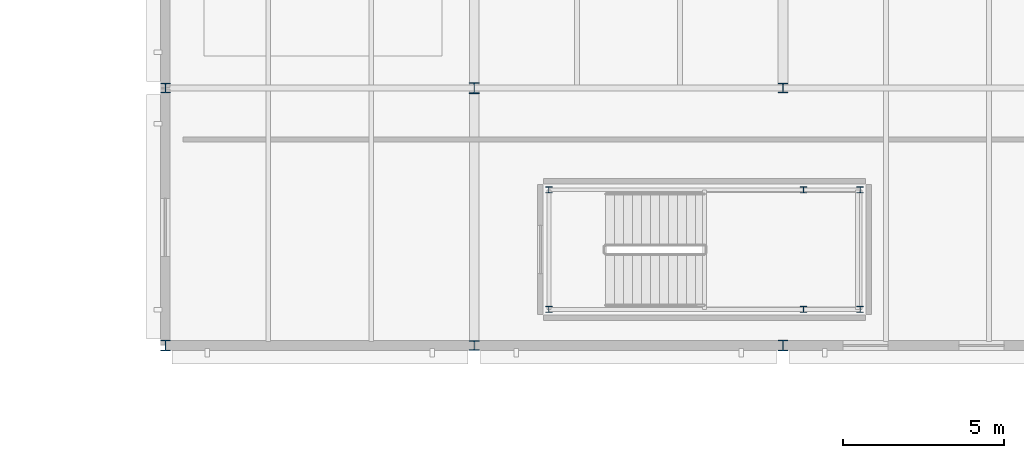
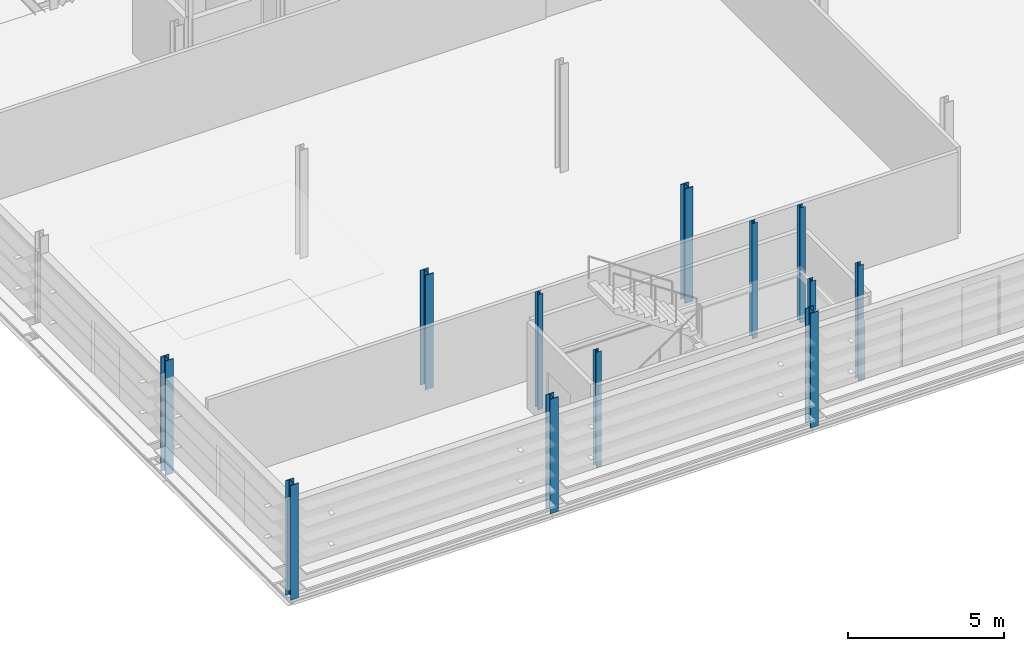
# One storey, part 1 of 73: 12 columns.
"""IFC4 building model written with IfcOpenShell, lengths in metres."""

from ifc_helpers import new_model, si_unit, direction, frame, origin, origin_2d, place, context, subcontext, project, spatial, i_section, extrude, material, material_profile, profile_set, type_object, element, save


model = new_model("IFC4")

# Units and contexts
model_context = context("Model", 3, precision=1e-05, world=origin(), true_north=direction((0.0, 1.0)))
body_context = subcontext(model_context, "Body", "Model", "MODEL_VIEW")
ifc_project = project(units=[si_unit("LENGTHUNIT", "METRE"), si_unit("AREAUNIT", "SQUARE_METRE"), si_unit("VOLUMEUNIT", "CUBIC_METRE"), si_unit("PLANEANGLEUNIT", "RADIAN"), si_unit("MASSUNIT", "GRAM", prefix="KILO")], contexts=[model_context])

# Site, building, storey
site_placement = place(None, origin())
site = spatial("IfcSite", under=ifc_project, at=site_placement, CompositionType="ELEMENT")
building_placement = place(site_placement, origin())
building = spatial("IfcBuilding", under=site, at=building_placement, Name="Alderhovde Museum", CompositionType="ELEMENT")
storey_placement = place(building_placement, frame((0.0, 0.0, 12.89990234375)))
storey = spatial("IfcBuildingStorey", under=building, at=storey_placement, Name="L03", CompositionType="ELEMENT", Elevation=12.89990234375)

# Columns
ifc_material_1 = material(Name="Steel S355J2", Category="steel")
ifc_material_profile_1 = material_profile(ifc_material_1, i_section(OverallWidth=0.199951171875, OverallDepth=0.18994140625, WebThickness=0.006591796875, FlangeThickness=0.010009765625, FilletRadius=0.01806640625, at=origin_2d()), Name="HEA 200")
ifc_profile_set_1 = profile_set([ifc_material_profile_1], Name="Steel S355J2")
column_type_1 = type_object("IfcColumnType", Name="COL-HEA200", PredefinedType="COLUMN", material=ifc_profile_set_1)
for number, where, z_axis, x_axis, name in (
    (1, (21.52001953125, 49.1201171875, 0.0), (0.0, 0.0, 1.0), (1.0, 0.0, 0.0), "L03 Stair ST1 Shaft Column 1"),
    (2, (31.199951171875, 49.1201171875, 0.0), (0.0, 0.0, 1.0), (1.0, 0.0, 0.0), "L03 Stair ST1 Shaft Column 2"),
    (3, (31.199951171875, 52.840087890625, 0.0), (0.0, 0.0, 1.0), (1.0, 0.0, 0.0), "L03 Stair ST1 Shaft Column 3"),
    (4, (21.52001953125, 52.840087890625, 0.0), (0.0, 0.0, 1.0), (1.0, 0.0, 0.0), "L03 Stair ST1 Shaft Column 4"),
    (5, (29.43994140625, 49.1201171875, 0.0), (0.0, 0.0, 1.0), (1.0, 0.0, 0.0), "L03 Stair ST1 Shaft Column 5"),
    (6, (29.43994140625, 52.840087890625, 0.0), (0.0, 0.0, 1.0), (1.0, 0.0, 0.0), "L03 Stair ST1 Shaft Column 6"),
):
    element("IfcColumn", number, at=place(storey_placement, frame(where, z_axis=z_axis, x_axis=x_axis)), inside=storey, type_object=column_type_1, Name=name, PredefinedType="COLUMN", context=body_context, shape_type="SweptSolid", body=[
        extrude(i_section(OverallWidth=0.199951171875, OverallDepth=0.18994140625, WebThickness=0.006591796875, FlangeThickness=0.010009765625, FilletRadius=0.01806640625, at=origin_2d()), origin(), (0.0, 0.0, 1.0), 4.5),
    ])
ifc_material_2 = material(Name="Steel S355J2", Category="steel")
ifc_material_profile_2 = material_profile(ifc_material_2, i_section(OverallWidth=0.300048828125, OverallDepth=0.300048828125, WebThickness=0.010986328125, FlangeThickness=0.01904296875, FilletRadius=0.027099609375, at=origin_2d()), Name="HEB 300")
ifc_profile_set_2 = profile_set([ifc_material_profile_2], Name="Steel S355J2")
column_type_2 = type_object("IfcColumnType", Name="COL-HEB300", PredefinedType="COLUMN", material=ifc_profile_set_2)
for number, where, z_axis, x_axis, name in (
    (7, (9.60009765625, 56.0, -0.260009765625), (0.0, 0.0, 1.0), (1.0, 0.0, 0.0), "L03 Column (9.6, 56.0)"),
    (8, (19.199951171875, 48.0, -0.260009765625), (0.0, 0.0, 1.0), (1.0, 0.0, 0.0), "L03 Column (19.2, 48.0)"),
    (9, (28.800048828125, 56.0, -0.260009765625), (0.0, 0.0, 1.0), (1.0, 0.0, 0.0), "L03 Column (28.8, 56.0)"),
):
    element("IfcColumn", number, at=place(storey_placement, frame(where, z_axis=z_axis, x_axis=x_axis)), inside=storey, type_object=column_type_2, Name=name, PredefinedType="COLUMN", context=body_context, shape_type="SweptSolid", body=[
        extrude(i_section(OverallWidth=0.300048828125, OverallDepth=0.300048828125, WebThickness=0.010986328125, FlangeThickness=0.01904296875, FilletRadius=0.027099609375, at=origin_2d()), origin(), (0.0, 0.0, 1.0), 4.480224609375),
    ])
ifc_material_3 = material(Name="Steel S355J2", Category="steel")
ifc_material_profile_3 = material_profile(ifc_material_3, i_section(OverallWidth=0.300048828125, OverallDepth=0.340087890625, WebThickness=0.011962890625, FlangeThickness=0.021484375, FilletRadius=0.027099609375, at=origin_2d()), Name="HEB 340")
ifc_profile_set_3 = profile_set([ifc_material_profile_3], Name="Steel S355J2")
column_type_3 = type_object("IfcColumnType", Name="COL-HEB340", PredefinedType="COLUMN", material=ifc_profile_set_3)
for number, where, z_axis, x_axis, name in (
    (10, (9.60009765625, 48.0, -0.260009765625), (0.0, 0.0, 1.0), (1.0, 0.0, 0.0), "L03 Column (9.6, 48.0)"),
    (11, (19.199951171875, 56.0, -0.260009765625), (0.0, 0.0, 1.0), (1.0, 0.0, 0.0), "L03 Column (19.2, 56.0)"),
    (12, (28.800048828125, 48.0, -0.260009765625), (0.0, 0.0, 1.0), (1.0, 0.0, 0.0), "L03 Column (28.8, 48.0)"),
):
    element("IfcColumn", number, at=place(storey_placement, frame(where, z_axis=z_axis, x_axis=x_axis)), inside=storey, type_object=column_type_3, Name=name, PredefinedType="COLUMN", context=body_context, shape_type="SweptSolid", body=[
        extrude(i_section(OverallWidth=0.300048828125, OverallDepth=0.340087890625, WebThickness=0.011962890625, FlangeThickness=0.021484375, FilletRadius=0.027099609375, at=origin_2d()), origin(), (0.0, 0.0, 1.0), 4.480224609375),
    ])

save(model, "model.ifc")
